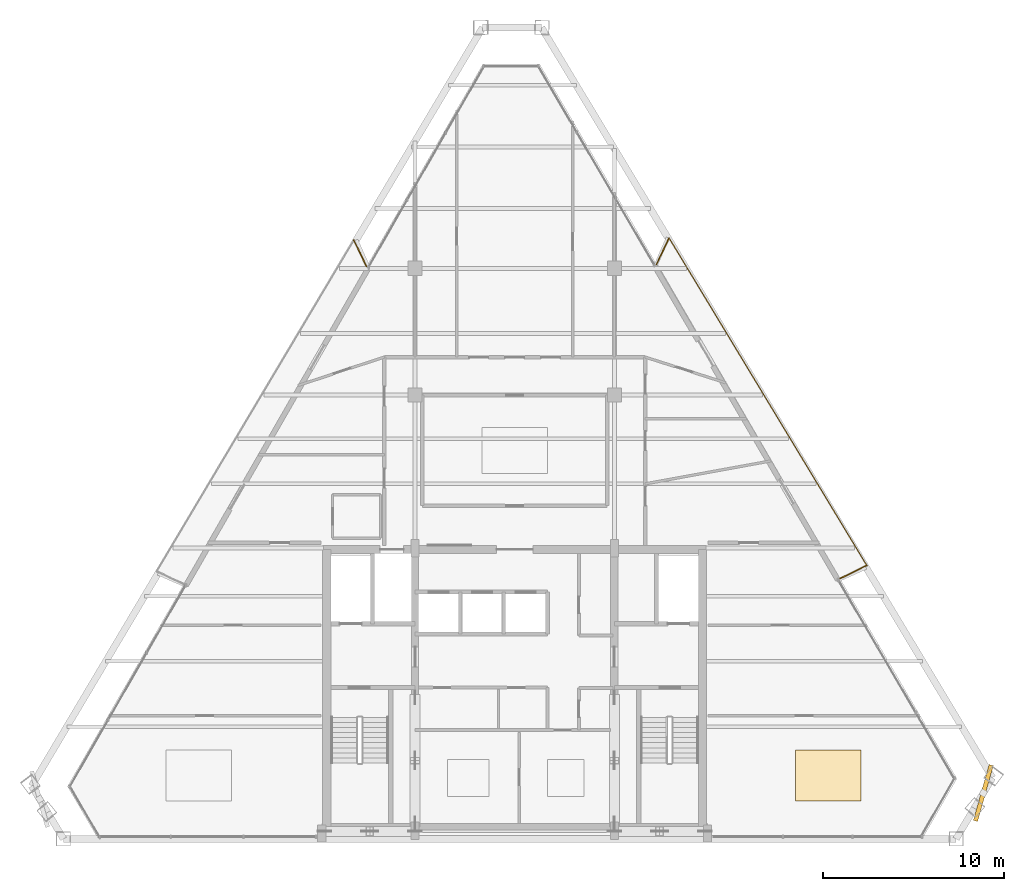
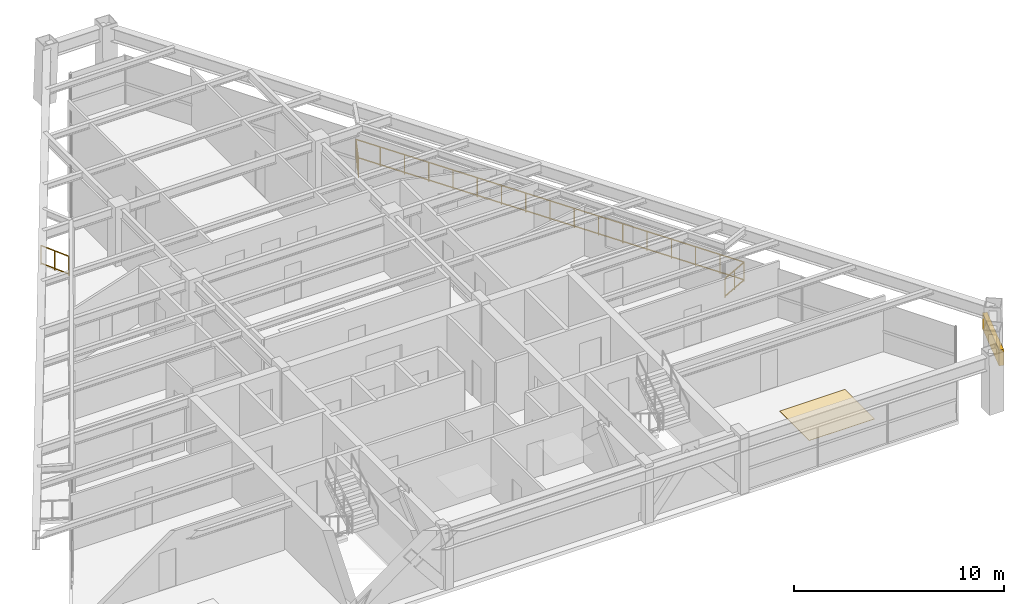
# One storey, part 13 of 13: 4 railings, 1 covering, 1 shading device.
"""IFC4 building model written with IfcOpenShell, lengths in metres."""

from ifc_helpers import new_model, si_unit, direction, frame, origin, origin_2d, place, context, subcontext, project, spatial, rectangle, extrude, source, transform, mapped, material, layer, layer_set, type_object, type_shapes, element, save


model = new_model("IFC4")

# Units and contexts
model_context = context("Model", 3, precision=1e-05, world=origin(), true_north=direction((0.0, 1.0)))
body_context = subcontext(model_context, "Body", "Model", "MODEL_VIEW")
ifc_project = project(units=[si_unit("LENGTHUNIT", "METRE"), si_unit("AREAUNIT", "SQUARE_METRE"), si_unit("VOLUMEUNIT", "CUBIC_METRE"), si_unit("PLANEANGLEUNIT", "RADIAN"), si_unit("MASSUNIT", "GRAM", prefix="KILO")], contexts=[model_context])

# Site, building, storey
site_placement = place(None, origin())
site = spatial("IfcSite", under=ifc_project, at=site_placement, CompositionType="ELEMENT")
building_placement = place(site_placement, origin())
building = spatial("IfcBuilding", under=site, at=building_placement, Name="Varnakhor Terracotta Tower", CompositionType="ELEMENT")
storey_placement = place(building_placement, frame((0.0, 0.0, 286.800048828125)))
storey = spatial("IfcBuildingStorey", under=building, at=storey_placement, Name="L75", CompositionType="ELEMENT", Elevation=286.800048828125)

# Railings
ifc_material_1 = material(Name="Stainless Steel & Laminated Glass Guardrail", Category="steel")
railing_type = type_object("IfcRailingType", Name="RLG-LOGGIA-GUARD-1150", PredefinedType="GUARDRAIL", material=ifc_material_1)
railing_1_placement = place(storey_placement, frame((7.829345703125, 31.72607421875, 0.0)))
element("IfcRailing", 1, at=railing_1_placement, inside=storey, type_object=railing_type, Name="L75 E Loggia Glass Guard 1", PredefinedType="GUARDRAIL", context=body_context, shape_type="SweptSolid", body=[
    extrude(rectangle(XDim=0.048095703125, YDim=0.048095703125, at=origin_2d()), frame((0.0, 0.0, 1.1259765625), z_axis=(0.431988645847, 0.901879043919, 0.0), x_axis=(-0.901879043919, 0.431988645847, 0.0)), (0.0, 0.0, 1.0), 1.60400390625),
    extrude(rectangle(XDim=0.048095703125, YDim=0.048095703125, at=origin_2d()), frame((0.0, 0.0, 0.10009765625), z_axis=(0.431988645847, 0.901879043919, 0.0), x_axis=(-0.901879043919, 0.431988645847, 0.0)), (0.0, 0.0, 1.0), 1.60400390625),
    extrude(rectangle(XDim=0.0419921875, YDim=0.0419921875, at=origin_2d()), origin(), (0.0, 0.0, 1.0), 1.101806640625),
    extrude(rectangle(XDim=0.0419921875, YDim=0.0419921875, at=origin_2d()), frame((0.346435546875, 0.72314453125, 0.0)), (0.0, 0.0, 1.0), 1.101806640625),
    extrude(rectangle(XDim=0.0419921875, YDim=0.0419921875, at=origin_2d()), frame((0.69287109375, 1.446533203125, 0.0)), (0.0, 0.0, 1.0), 1.101806640625),
])
railing_2_placement = place(storey_placement, frame((8.522216796875, 33.172607421875, 0.0)))
element("IfcRailing", 2, at=railing_2_placement, inside=storey, type_object=railing_type, Name="L75 E Loggia Glass Guard 2", PredefinedType="GUARDRAIL", context=body_context, shape_type="SweptSolid", body=[
    extrude(rectangle(XDim=0.048095703125, YDim=0.048095703125, at=origin_2d()), frame((0.0, 0.0, 1.1259765625), z_axis=(0.516879812767, -0.856057976514, 0.0), x_axis=(0.856057976514, 0.516879812767, 0.0)), (0.0, 0.0, 1.0), 21.111083984375),
    extrude(rectangle(XDim=0.048095703125, YDim=0.048095703125, at=origin_2d()), frame((0.0, 0.0, 0.10009765625), z_axis=(0.516879812767, -0.856057976514, 0.0), x_axis=(0.856057976514, 0.516879812767, 0.0)), (0.0, 0.0, 1.0), 21.111083984375),
    extrude(rectangle(XDim=0.0419921875, YDim=0.0419921875, at=origin_2d()), origin(), (0.0, 0.0, 1.0), 1.101806640625),
    extrude(rectangle(XDim=0.0419921875, YDim=0.0419921875, at=origin_2d()), frame((0.681884765625, -1.12939453125, 0.0)), (0.0, 0.0, 1.0), 1.101806640625),
    extrude(rectangle(XDim=0.0419921875, YDim=0.0419921875, at=origin_2d()), frame((1.364013671875, -2.259033203125, 0.0)), (0.0, 0.0, 1.0), 1.101806640625),
    extrude(rectangle(XDim=0.0419921875, YDim=0.0419921875, at=origin_2d()), frame((2.0458984375, -3.388671875, 0.0)), (0.0, 0.0, 1.0), 1.101806640625),
    extrude(rectangle(XDim=0.0419921875, YDim=0.0419921875, at=origin_2d()), frame((2.72802734375, -4.51806640625, 0.0)), (0.0, 0.0, 1.0), 1.101806640625),
    extrude(rectangle(XDim=0.0419921875, YDim=0.0419921875, at=origin_2d()), frame((3.409912109375, -5.6474609375, 0.0)), (0.0, 0.0, 1.0), 1.101806640625),
    extrude(rectangle(XDim=0.0419921875, YDim=0.0419921875, at=origin_2d()), frame((4.092041015625, -6.777099609375, 0.0)), (0.0, 0.0, 1.0), 1.101806640625),
    extrude(rectangle(XDim=0.0419921875, YDim=0.0419921875, at=origin_2d()), frame((4.77392578125, -7.90673828125, 0.0)), (0.0, 0.0, 1.0), 1.101806640625),
    extrude(rectangle(XDim=0.0419921875, YDim=0.0419921875, at=origin_2d()), frame((5.4560546875, -9.0361328125, 0.0)), (0.0, 0.0, 1.0), 1.101806640625),
    extrude(rectangle(XDim=0.0419921875, YDim=0.0419921875, at=origin_2d()), frame((6.137939453125, -10.16552734375, 0.0)), (0.0, 0.0, 1.0), 1.101806640625),
    extrude(rectangle(XDim=0.0419921875, YDim=0.0419921875, at=origin_2d()), frame((6.81982421875, -11.295166015625, 0.0)), (0.0, 0.0, 1.0), 1.101806640625),
    extrude(rectangle(XDim=0.0419921875, YDim=0.0419921875, at=origin_2d()), frame((7.501953125, -12.4248046875, 0.0)), (0.0, 0.0, 1.0), 1.101806640625),
    extrude(rectangle(XDim=0.0419921875, YDim=0.0419921875, at=origin_2d()), frame((8.183837890625, -13.55419921875, 0.0)), (0.0, 0.0, 1.0), 1.101806640625),
    extrude(rectangle(XDim=0.0419921875, YDim=0.0419921875, at=origin_2d()), frame((8.865966796875, -14.68359375, 0.0)), (0.0, 0.0, 1.0), 1.101806640625),
    extrude(rectangle(XDim=0.0419921875, YDim=0.0419921875, at=origin_2d()), frame((9.5478515625, -15.813232421875, 0.0)), (0.0, 0.0, 1.0), 1.101806640625),
    extrude(rectangle(XDim=0.0419921875, YDim=0.0419921875, at=origin_2d()), frame((10.22998046875, -16.94287109375, 0.0)), (0.0, 0.0, 1.0), 1.101806640625),
    extrude(rectangle(XDim=0.0419921875, YDim=0.0419921875, at=origin_2d()), frame((10.911865234375, -18.072265625, 0.0)), (0.0, 0.0, 1.0), 1.101806640625),
])
railing_3_placement = place(storey_placement, frame((19.43408203125, 15.100341796875, 0.0)))
element("IfcRailing", 3, at=railing_3_placement, inside=storey, type_object=railing_type, Name="L75 E Loggia Glass Guard 3", PredefinedType="GUARDRAIL", context=body_context, shape_type="SweptSolid", body=[
    extrude(rectangle(XDim=0.048095703125, YDim=0.048095703125, at=origin_2d()), frame((0.0, 0.0, 1.1259765625), z_axis=(-0.896087566255, -0.44387731819, 0.0), x_axis=(0.44387731819, -0.896087566255, 0.0)), (0.0, 0.0, 1.0), 1.640625),
    extrude(rectangle(XDim=0.048095703125, YDim=0.048095703125, at=origin_2d()), frame((0.0, 0.0, 0.10009765625), z_axis=(-0.896087566255, -0.44387731819, 0.0), x_axis=(0.44387731819, -0.896087566255, 0.0)), (0.0, 0.0, 1.0), 1.640625),
    extrude(rectangle(XDim=0.0419921875, YDim=0.0419921875, at=origin_2d()), origin(), (0.0, 0.0, 1.0), 1.101806640625),
    extrude(rectangle(XDim=0.0419921875, YDim=0.0419921875, at=origin_2d()), frame((-0.735107421875, -0.3642578125, 0.0)), (0.0, 0.0, 1.0), 1.101806640625),
    extrude(rectangle(XDim=0.0419921875, YDim=0.0419921875, at=origin_2d()), frame((-1.47021484375, -0.728271484375, 0.0)), (0.0, 0.0, 1.0), 1.101806640625),
])
railing_4_placement = place(storey_placement, frame((-8.8798828125, 33.04638671875, 0.0)))
element("IfcRailing", 4, at=railing_4_placement, inside=storey, type_object=railing_type, Name="L75 W Loggia Glass Guard 3", PredefinedType="GUARDRAIL", context=body_context, shape_type="SweptSolid", body=[
    extrude(rectangle(XDim=0.048095703125, YDim=0.048095703125, at=origin_2d()), frame((0.0, 0.0, 1.1259765625), z_axis=(0.436262282613, -0.899819549004, 0.0), x_axis=(0.899819549004, 0.436262282613, 0.0)), (0.0, 0.0, 1.0), 1.60107421875),
    extrude(rectangle(XDim=0.048095703125, YDim=0.048095703125, at=origin_2d()), frame((0.0, 0.0, 0.10009765625), z_axis=(0.436262282613, -0.899819549004, 0.0), x_axis=(0.899819549004, 0.436262282613, 0.0)), (0.0, 0.0, 1.0), 1.60107421875),
    extrude(rectangle(XDim=0.0419921875, YDim=0.0419921875, at=origin_2d()), origin(), (0.0, 0.0, 1.0), 1.101806640625),
    extrude(rectangle(XDim=0.0419921875, YDim=0.0419921875, at=origin_2d()), frame((0.34912109375, -0.72021484375, 0.0)), (0.0, 0.0, 1.0), 1.101806640625),
    extrude(rectangle(XDim=0.0419921875, YDim=0.0419921875, at=origin_2d()), frame((0.698486328125, -1.440673828125, 0.0)), (0.0, 0.0, 1.0), 1.101806640625),
])

# Shading device
ifc_material_2 = material(Name="Extruded Architectural Terracotta Screen", Category="masonry")
shading_device_type = type_object("IfcShadingDeviceType", Name="TERRACOTTA SOLAR SCREEN E", PredefinedType="USERDEFINED", material=ifc_material_2)
shared_shape_1 = source(origin(), body_context, "Body", "SweptSolid", [
    extrude(rectangle(XDim=3.199951171875, YDim=0.239990234375, at=origin_2d()), origin(), (0.0, 0.0, 1.0), 0.919921875),
])
type_shapes(shading_device_type, [shared_shape_1])
shading_device_placement = place(storey_placement, frame((25.87109375, 2.534912109375, 1.56201171875), z_axis=(0.0, 0.0, 1.0), x_axis=(0.27123886776, 0.962512065699, 0.0)))
element("IfcShadingDevice", 5, at=shading_device_placement, inside=storey, type_object=shading_device_type, Name="L75 E Terracotta Solar Screen", ObjectType="SCREEN", PredefinedType="USERDEFINED", context=body_context, shape_type="MappedRepresentation", body=[
    mapped(shared_shape_1, transform((0.0, 0.0, 0.0), scale=1.0)),
])

# Covering
ifc_material_3 = material(Name="Honed Riyadh Limestone Flooring", Category="masonry")
ifc_layer = layer(ifc_material_3, 0.030029296875, Name="Honed Riyadh Limestone Flooring")
ifc_layer_set = layer_set([ifc_layer], Name="Honed Riyadh Limestone Flooring")
covering_type = type_object("IfcCoveringType", Name="COV-FLOOR-LIMESTONE", PredefinedType="FLOORING", material=ifc_layer_set)
shared_shape_2 = source(origin(), body_context, "Body", "SweptSolid", [
    extrude(rectangle(XDim=3.60009765625, YDim=2.83203125, at=origin_2d()), origin(), (0.0, 0.0, 1.0), 0.02001953125),
])
covering_placement = place(storey_placement, frame((17.303955078125, 3.50390625, 0.0), z_axis=(0.0, 0.0, 1.0), x_axis=(1.0, 0.0, 0.0)))
element("IfcCovering", 6, at=covering_placement, inside=storey, type_object=covering_type, Name="L75 Honed Stone Flooring 3", PredefinedType="FLOORING", context=body_context, shape_type="MappedRepresentation", body=[
    mapped(shared_shape_2, transform((0.0, 0.0, 0.0), scale=1.0)),
])

save(model, "model.ifc")
